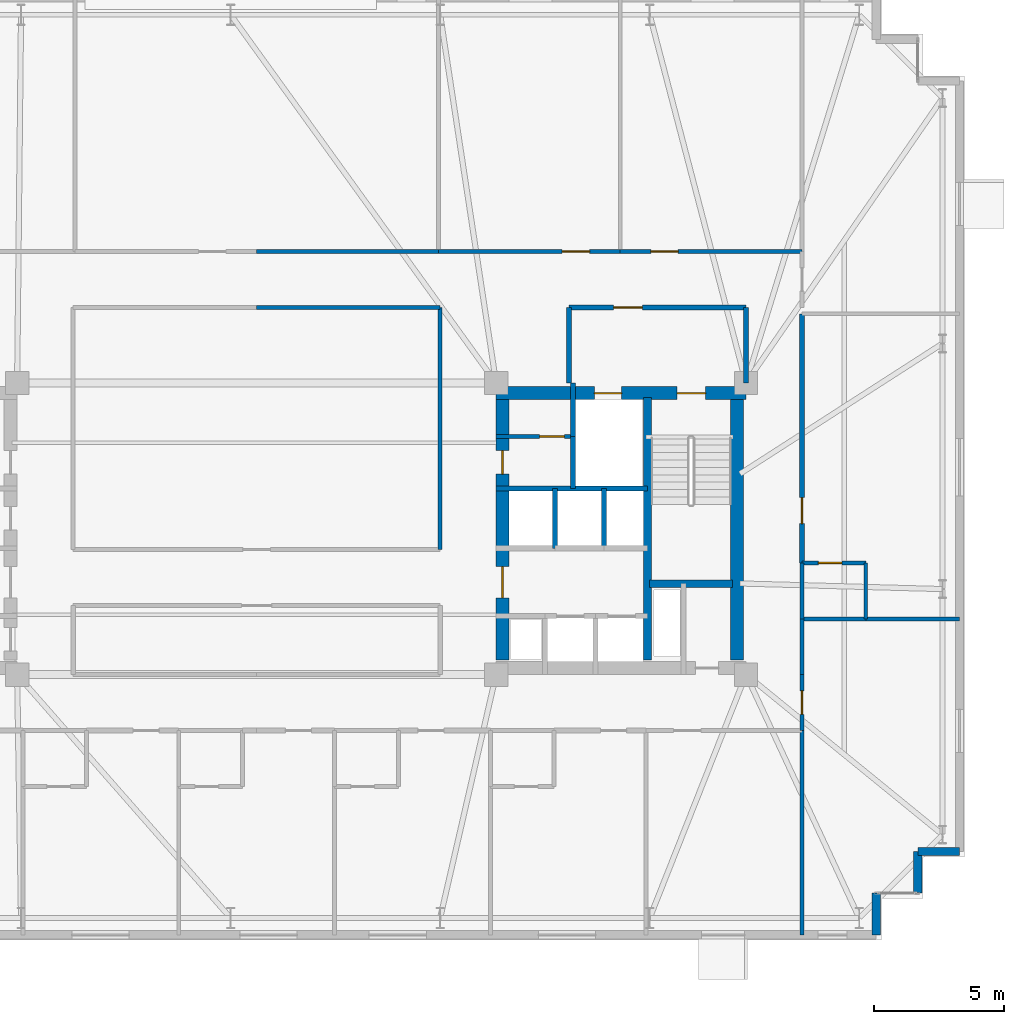
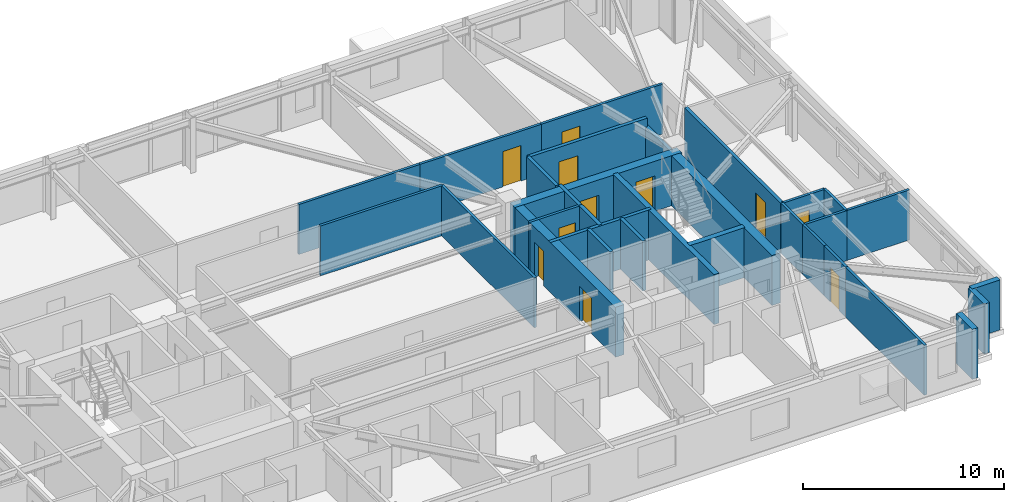
# One storey, part 15 of 18: 31 walls, 11 doors, 11 openings.
"""IFC4 building model written with IfcOpenShell, lengths in metres."""

from ifc_helpers import new_model, si_unit, direction, frame, frame_2d, origin, place, context, subcontext, project, spatial, rectangle, extrude, material, layer, layer_set, type_object, element, fill, save


model = new_model("IFC4")

# Units and contexts
model_context = context("Model", 3, precision=1e-05, world=origin(), true_north=direction((0.0, 1.0)))
body_context = subcontext(model_context, "Body", "Model", "MODEL_VIEW")
ifc_project = project(units=[si_unit("LENGTHUNIT", "METRE"), si_unit("AREAUNIT", "SQUARE_METRE"), si_unit("VOLUMEUNIT", "CUBIC_METRE"), si_unit("PLANEANGLEUNIT", "RADIAN"), si_unit("MASSUNIT", "GRAM", prefix="KILO")], contexts=[model_context])

# Site, building, storey
site_placement = place(None, origin())
site = spatial("IfcSite", under=ifc_project, at=site_placement, CompositionType="ELEMENT")
building_placement = place(site_placement, origin())
building = spatial("IfcBuilding", under=site, at=building_placement, Name="Qobustan Lattice House", CompositionType="ELEMENT")
storey_placement = place(building_placement, frame((0.0, 0.0, 151.10009765625)))
storey = spatial("IfcBuildingStorey", under=building, at=storey_placement, Name="L42", CompositionType="ELEMENT", Elevation=151.10009765625)

# Wall, openings, doors
ifc_material_1 = material(Name="Concrete C50/60", Category="concrete")
ifc_layer_1 = layer(ifc_material_1, 0.5)
ifc_layer_set_1 = layer_set([ifc_layer_1], Name="Concrete C50/60")
wall_type_1 = type_object("IfcWallType", Name="WAL-CORE-500", PredefinedType="SHEAR", material=ifc_layer_set_1)
wall_1_placement = place(storey_placement, frame((9.199951171875, 5.2099609375, 0.0), z_axis=(0.0, 0.0, 1.0), x_axis=(1.0, 0.0, 0.0)))
wall_1 = element("IfcWall", 1, at=wall_1_placement, inside=storey, type_object=wall_type_1, Name="L42 split-core shear wall CE-N", PredefinedType="SHEAR", context=body_context, shape_type="SweptSolid", body=[
    extrude(rectangle(XDim=9.60009765625, YDim=0.5, at=frame_2d((4.800048828125, 0.0))), origin(), (0.0, 0.0, 1.0), 3.039794921875),
])
opening_1_placement = place(wall_1_placement, frame((6.949951171875, 0.0, 0.0)))
opening_1 = element("IfcOpeningElement", 2, at=opening_1_placement, cuts=wall_1, Name="Opening SD-01", PredefinedType="OPENING", context=body_context, shape_type="SweptSolid", body=[
    extrude(rectangle(XDim=1.10009765625, YDim=2.14990234375, at=frame_2d((0.550048828125, 1.074951171875))), frame((0.0, 0.260009765625, 0.0), z_axis=(0.0, -1.0, 0.0), x_axis=(1.0, 0.0, 0.0)), (0.0, 0.0, 1.0), 0.52001953125),
])
opening_2_placement = place(wall_1_placement, frame((3.77490234375, 0.0, 0.0)))
opening_2 = element("IfcOpeningElement", 3, at=opening_2_placement, cuts=wall_1, Name="Opening LD-01", PredefinedType="OPENING", context=body_context, shape_type="SweptSolid", body=[
    extrude(rectangle(XDim=1.050048828125, YDim=2.10009765625, at=frame_2d((0.52490234375, 1.050048828125))), frame((0.0, 0.260009765625, 0.0), z_axis=(0.0, -1.0, 0.0), x_axis=(1.0, 0.0, 0.0)), (0.0, 0.0, 1.0), 0.52001953125),
])
ifc_material_2 = material(Name="Persian walnut timber and steel frame door", Category="steel")
door_type_1 = type_object("IfcDoorType", Name="DOR-LIFT-LD-1050x2100", OperationType="NOTDEFINED", PredefinedType="DOOR", material=ifc_material_2)
door_1_placement = place(opening_2_placement, origin())
door_1 = element("IfcDoor", 4, at=door_1_placement, inside=storey, type_object=door_type_1, Name="L42 firefighting lift FF-E landing door", OperationType="DOUBLE_DOOR_SLIDING", OverallHeight=2.10009765625, OverallWidth=1.050048828125, PredefinedType="DOOR", context=body_context, shape_type="SweptSolid", body=[
    extrude(rectangle(XDim=1.050048828125, YDim=2.10009765625, at=frame_2d((0.52490234375, 1.050048828125))), frame((0.0, 0.02490234375, 0.0), z_axis=(0.0, -1.0, 0.0), x_axis=(1.0, 0.0, 0.0)), (0.0, 0.0, 1.0), 0.050048828125),
])
fill(opening_2, door_1)
ifc_material_3 = material(Name="Persian walnut timber and steel frame door", Category="steel")
door_type_2 = type_object("IfcDoorType", Name="DOR-STAIR-FD-1100x2150", OperationType="NOTDEFINED", PredefinedType="DOOR", material=ifc_material_3)
door_2_placement = place(opening_1_placement, origin())
door_2 = element("IfcDoor", 5, at=door_2_placement, inside=storey, type_object=door_type_2, Name="L42 exit stair ST-E1 fire door", OperationType="SINGLE_SWING_RIGHT", OverallHeight=2.14990234375, OverallWidth=1.10009765625, PredefinedType="DOOR", context=body_context, shape_type="SweptSolid", body=[
    extrude(rectangle(XDim=1.10009765625, YDim=2.14990234375, at=frame_2d((0.550048828125, 1.074951171875))), frame((0.0, 0.02490234375, 0.0), z_axis=(0.0, -1.0, 0.0), x_axis=(1.0, 0.0, 0.0)), (0.0, 0.0, 1.0), 0.050048828125),
])
fill(opening_1, door_2)

wall_2_placement = place(storey_placement, frame((9.449951171875, -5.050048828125, 0.0), z_axis=(0.0, 0.0, 1.0), x_axis=(0.0, 1.0, 0.0)))
wall_2 = element("IfcWall", 6, at=wall_2_placement, inside=storey, type_object=wall_type_1, Name="L42 split-core shear wall CE-W", PredefinedType="SHEAR", context=body_context, shape_type="SweptSolid", body=[
    extrude(rectangle(XDim=10.10009765625, YDim=0.5, at=frame_2d((5.050048828125, 0.0))), origin(), (0.0, 0.0, 1.0), 3.039794921875),
])
opening_3_placement = place(wall_2_placement, frame((7.14990234375, 0.0, 0.0)))
opening_3 = element("IfcOpeningElement", 7, at=opening_3_placement, cuts=wall_2, Name="Opening RD-01", PredefinedType="OPENING", context=body_context, shape_type="SweptSolid", body=[
    extrude(rectangle(XDim=0.89990234375, YDim=2.10009765625, at=frame_2d((0.449951171875, 1.050048828125))), frame((0.0, 0.260009765625, 0.0), z_axis=(0.0, -1.0, 0.0), x_axis=(1.0, 0.0, 0.0)), (0.0, 0.0, 1.0), 0.52001953125),
])
opening_4_placement = place(wall_2_placement, frame((2.39990234375, 0.0, 0.0)))
opening_4 = element("IfcOpeningElement", 8, at=opening_4_placement, cuts=wall_2, Name="Opening FD-01", PredefinedType="OPENING", context=body_context, shape_type="SweptSolid", body=[
    extrude(rectangle(XDim=1.199951171875, YDim=2.14990234375, at=frame_2d((0.60009765625, 1.074951171875))), frame((0.0, 0.260009765625, 0.0), z_axis=(0.0, -1.0, 0.0), x_axis=(1.0, 0.0, 0.0)), (0.0, 0.0, 1.0), 0.52001953125),
])
ifc_material_4 = material(Name="Persian walnut timber and steel frame door", Category="steel")
door_type_3 = type_object("IfcDoorType", Name="DOR-LOBBY-FD-1200x2150", OperationType="NOTDEFINED", PredefinedType="DOOR", material=ifc_material_4)
door_3_placement = place(opening_4_placement, origin())
door_3 = element("IfcDoor", 9, at=door_3_placement, inside=storey, type_object=door_type_3, Name="L42 East passenger lift lobby fire door", OperationType="SINGLE_SWING_RIGHT", OverallHeight=2.14990234375, OverallWidth=1.199951171875, PredefinedType="DOOR", context=body_context, shape_type="SweptSolid", body=[
    extrude(rectangle(XDim=1.199951171875, YDim=2.14990234375, at=frame_2d((0.60009765625, 1.074951171875))), frame((0.0, 0.02490234375, 0.0), z_axis=(0.0, -1.0, 0.0), x_axis=(1.0, 0.0, 0.0)), (0.0, 0.0, 1.0), 0.050048828125),
])
fill(opening_4, door_3)
ifc_material_5 = material(Name="Persian walnut timber and steel frame door", Category="steel")
door_type_4 = type_object("IfcDoorType", Name="DOR-RISER-FD-900x2100", OperationType="NOTDEFINED", PredefinedType="DOOR", material=ifc_material_5)
door_4_placement = place(opening_3_placement, origin())
door_4 = element("IfcDoor", 10, at=door_4_placement, inside=storey, type_object=door_type_4, Name="L42 Housekeeping utility foyer fire door", OperationType="SINGLE_SWING_LEFT", OverallHeight=2.10009765625, OverallWidth=0.89990234375, PredefinedType="DOOR", context=body_context, shape_type="SweptSolid", body=[
    extrude(rectangle(XDim=0.89990234375, YDim=2.10009765625, at=frame_2d((0.449951171875, 1.050048828125))), frame((0.0, 0.02490234375, 0.0), z_axis=(0.0, -1.0, 0.0), x_axis=(1.0, 0.0, 0.0)), (0.0, 0.0, 1.0), 0.050048828125),
])
fill(opening_3, door_4)

# Walls
wall_3_placement = place(storey_placement, frame((18.4599609375, -5.050048828125, 0.0), z_axis=(0.0, 0.0, 1.0), x_axis=(0.0, 1.0, 0.0)))
element("IfcWall", 11, at=wall_3_placement, inside=storey, type_object=wall_type_1, Name="L42 split-core shear wall CE-E", PredefinedType="SHEAR", context=body_context, shape_type="SweptSolid", body=[
    extrude(rectangle(XDim=10.10009765625, YDim=0.5, at=frame_2d((5.050048828125, 0.0))), origin(), (0.0, 0.0, 1.0), 3.039794921875),
])
ifc_material_6 = material(Name="Concrete C50/60", Category="concrete")
ifc_layer_2 = layer(ifc_material_6, 0.280029296875)
ifc_layer_set_2 = layer_set([ifc_layer_2], Name="Concrete C50/60")
wall_type_2 = type_object("IfcWallType", Name="WAL-CORE-SPINE-280", PredefinedType="SHEAR", material=ifc_layer_set_2)
wall_4_placement = place(storey_placement, frame((15.02001953125, -5.050048828125, 0.0), z_axis=(0.0, 0.0, 1.0), x_axis=(0.0, 1.0, 0.0)))
element("IfcWall", 12, at=wall_4_placement, inside=storey, type_object=wall_type_2, Name="L42 split-core shear wall CE-M", PredefinedType="SHEAR", context=body_context, shape_type="SweptSolid", body=[
    extrude(rectangle(XDim=10.10009765625, YDim=0.300048828125, at=frame_2d((5.050048828125, 0.0))), origin(), (0.0, 0.0, 1.0), 3.039794921875),
])
wall_5_placement = place(storey_placement, frame((15.10009765625, -2.110107421875, 0.0), z_axis=(0.0, 0.0, 1.0), x_axis=(1.0, 0.0, 0.0)))
element("IfcWall", 13, at=wall_5_placement, inside=storey, type_object=wall_type_2, Name="L42 split-core shear wall CE-ST", PredefinedType="SHEAR", context=body_context, shape_type="SweptSolid", body=[
    extrude(rectangle(XDim=3.179931640625, YDim=0.300048828125, at=frame_2d((1.58984375, 0.0))), origin(), (0.0, 0.0, 1.0), 3.039794921875),
])
ifc_material_7 = material(Name="Precast concrete C40/50", Category="concrete")
ifc_layer_3 = layer(ifc_material_7, 0.320068359375)
ifc_layer_set_3 = layer_set([ifc_layer_3], Name="Precast concrete C40/50")
wall_type_3 = type_object("IfcWallType", Name="WAL-EXT-STONE-320", PredefinedType="SOLIDWALL", material=ifc_layer_set_3)
for number, where, z_axis, x_axis, name in (
    (14, (27.0, -12.39990234375, 0.0), (0.0, 0.0, 1.0), (-1.0, 0.0, 0.0), "L42 exterior limestone-clad wall 16"),
    (15, (25.39990234375, -12.39990234375, 0.0), (0.0, 0.0, 1.0), (0.0, -1.0, 0.0), "L42 exterior limestone-clad wall 17"),
    (16, (23.800048828125, -14.0, 0.0), (0.0, 0.0, 1.0), (0.0, -1.0, 0.0), "L42 exterior limestone-clad wall 19"),
):
    element("IfcWall", number, at=place(storey_placement, frame(where, z_axis=z_axis, x_axis=x_axis)), inside=storey, type_object=wall_type_3, Name=name, PredefinedType="SOLIDWALL", context=body_context, shape_type="SweptSolid", body=[
        extrude(rectangle(XDim=1.60009765625, YDim=0.320068359375, at=frame_2d((0.800048828125, 0.0))), origin(), (0.0, 0.0, 1.0), 3.039794921875),
    ])

# Wall, opening, door
ifc_material_8 = material(Name="Gypsum fireboard acoustic partition", Category="gypsum")
ifc_layer_4 = layer(ifc_material_8, 0.179931640625)
ifc_layer_set_4 = layer_set([ifc_layer_4], Name="Gypsum fireboard acoustic partition")
wall_type_4 = type_object("IfcWallType", Name="WAL-FIRE-180", PredefinedType="PARTITIONING", material=ifc_layer_set_4)
wall_6_placement = place(storey_placement, frame((20.949951171875, 8.260009765625, 0.0), z_axis=(0.0, 0.0, 1.0), x_axis=(0.0, -1.0, 0.0)))
wall_6 = element("IfcWall", 17, at=wall_6_placement, inside=storey, type_object=wall_type_4, Name="L42 interior partition 62", PredefinedType="PARTITIONING", context=body_context, shape_type="SweptSolid", body=[
    extrude(rectangle(XDim=9.570068359375, YDim=0.179931640625, at=frame_2d((4.78515625, 0.0))), origin(), (0.0, 0.0, 1.0), 3.039794921875),
])
opening_5_placement = place(wall_6_placement, frame((7.063720703125, 0.0, 0.0)))
opening_5 = element("IfcOpeningElement", 18, at=opening_5_placement, cuts=wall_6, Name="Opening FD-02", PredefinedType="OPENING", context=body_context, shape_type="SweptSolid", body=[
    extrude(rectangle(XDim=1.0, YDim=2.14990234375, at=frame_2d((0.5, 1.074951171875))), frame((0.0, 0.099853515625, 0.0), z_axis=(0.0, -1.0, 0.0), x_axis=(1.0, 0.0, 0.0)), (0.0, 0.0, 1.0), 0.199951171875),
])
ifc_material_9 = material(Name="Persian walnut timber and steel frame door", Category="steel")
door_type_5 = type_object("IfcDoorType", Name="DOR-UNIT-FD-1000x2150", OperationType="NOTDEFINED", PredefinedType="DOOR", material=ifc_material_9)
door_5_placement = place(opening_5_placement, origin())
door_5 = element("IfcDoor", 19, at=door_5_placement, inside=storey, type_object=door_type_5, Name="L42 East wing spine gallery to Kitchenette and studio apartment L42-E2 door", OperationType="SINGLE_SWING_LEFT", OverallHeight=2.14990234375, OverallWidth=1.0, PredefinedType="DOOR", context=body_context, shape_type="SweptSolid", body=[
    extrude(rectangle(XDim=1.0, YDim=2.14990234375, at=frame_2d((0.5, 1.074951171875))), frame((0.0, 0.02490234375, 0.0), z_axis=(0.0, -1.0, 0.0), x_axis=(1.0, 0.0, 0.0)), (0.0, 0.0, 1.0), 0.050048828125),
])
fill(opening_5, door_5)

ifc_material_10 = material(Name="Acoustic twin-stud gypsum partition", Category="gypsum")
ifc_layer_5 = layer(ifc_material_10, 0.14990234375)
ifc_layer_set_5 = layer_set([ifc_layer_5], Name="Acoustic twin-stud gypsum partition")
wall_type_5 = type_object("IfcWallType", Name="WAL-PART-150", PredefinedType="PARTITIONING", material=ifc_layer_set_5)
wall_7_placement = place(storey_placement, frame((12.14990234375, 3.550048828125, 0.0), z_axis=(0.0, 0.0, 1.0), x_axis=(-1.0, 0.0, 0.0)))
wall_7 = element("IfcWall", 20, at=wall_7_placement, inside=storey, type_object=wall_type_5, Name="L42 interior partition 21", PredefinedType="PARTITIONING", context=body_context, shape_type="SweptSolid", body=[
    extrude(rectangle(XDim=2.949951171875, YDim=0.14990234375, at=frame_2d((1.47509765625, 0.0))), origin(), (0.0, 0.0, 1.0), 3.039794921875),
])
opening_6_placement = place(wall_7_placement, frame((0.324951171875, 0.0, 0.0)))
opening_6 = element("IfcOpeningElement", 21, at=opening_6_placement, cuts=wall_7, Name="Opening ID-01", PredefinedType="OPENING", context=body_context, shape_type="SweptSolid", body=[
    extrude(rectangle(XDim=0.949951171875, YDim=2.10009765625, at=frame_2d((0.47509765625, 1.050048828125))), frame((0.0, 0.0849609375, 0.0), z_axis=(0.0, -1.0, 0.0), x_axis=(1.0, 0.0, 0.0)), (0.0, 0.0, 1.0), 0.169921875),
])
ifc_material_11 = material(Name="Persian walnut timber and steel frame door", Category="steel")
door_type_6 = type_object("IfcDoorType", Name="DOR-ROOM-950x2100", OperationType="NOTDEFINED", PredefinedType="DOOR", material=ifc_material_11)
door_6_placement = place(opening_6_placement, origin())
door_6 = element("IfcDoor", 22, at=door_6_placement, inside=storey, type_object=door_type_6, Name="L42 Housekeeping utility foyer to Cleaner cupboard door", OperationType="SINGLE_SWING_RIGHT", OverallHeight=2.10009765625, OverallWidth=0.949951171875, PredefinedType="DOOR", context=body_context, shape_type="SweptSolid", body=[
    extrude(rectangle(XDim=0.949951171875, YDim=2.10009765625, at=frame_2d((0.47509765625, 1.050048828125))), frame((0.0, 0.02490234375, 0.0), z_axis=(0.0, -1.0, 0.0), x_axis=(1.0, 0.0, 0.0)), (0.0, 0.0, 1.0), 0.050048828125),
])
fill(opening_6, door_6)

# Wall
wall_8_placement = place(storey_placement, frame((0.0, 10.64990234375, 0.0), z_axis=(0.0, 0.0, 1.0), x_axis=(1.0, 0.0, 0.0)))
element("IfcWall", 23, at=wall_8_placement, inside=storey, type_object=wall_type_5, Name="L42 interior partition 39", PredefinedType="PARTITIONING", context=body_context, shape_type="SweptSolid", body=[
    extrude(rectangle(XDim=6.98291015625, YDim=0.14990234375, at=frame_2d((3.491455078125, 0.0))), origin(), (0.0, 0.0, 1.0), 3.039794921875),
])

# Wall, opening, door
wall_9_placement = place(storey_placement, frame((6.98291015625, 10.64990234375, 0.0), z_axis=(0.0, 0.0, 1.0), x_axis=(1.0, 0.0, 0.0)))
wall_9 = element("IfcWall", 24, at=wall_9_placement, inside=storey, type_object=wall_type_5, Name="L42 interior partition 40", PredefinedType="PARTITIONING", context=body_context, shape_type="SweptSolid", body=[
    extrude(rectangle(XDim=6.983642578125, YDim=0.14990234375, at=frame_2d((3.49169921875, 0.0))), origin(), (0.0, 0.0, 1.0), 3.039794921875),
])
opening_7_placement = place(wall_9_placement, frame((4.7568359375, 0.0, 0.0)))
opening_7 = element("IfcOpeningElement", 25, at=opening_7_placement, cuts=wall_9, Name="Opening ID-02", PredefinedType="OPENING", context=body_context, shape_type="SweptSolid", body=[
    extrude(rectangle(XDim=1.050048828125, YDim=2.14990234375, at=frame_2d((0.52490234375, 1.074951171875))), frame((0.0, 0.0849609375, 0.0), z_axis=(0.0, -1.0, 0.0), x_axis=(1.0, 0.0, 0.0)), (0.0, 0.0, 1.0), 0.169921875),
])
ifc_material_12 = material(Name="Persian walnut timber and steel frame door", Category="steel")
door_type_7 = type_object("IfcDoorType", Name="DOR-STUDY-1050x2150", OperationType="NOTDEFINED", PredefinedType="DOOR", material=ifc_material_12)
door_7_placement = place(opening_7_placement, origin())
door_7 = element("IfcDoor", 26, at=door_7_placement, inside=storey, type_object=door_type_7, Name="L42 North-east floor corridor to Focus study room N3A door", OperationType="SINGLE_SWING_LEFT", OverallHeight=2.14990234375, OverallWidth=1.050048828125, PredefinedType="DOOR", context=body_context, shape_type="SweptSolid", body=[
    extrude(rectangle(XDim=1.050048828125, YDim=2.14990234375, at=frame_2d((0.52490234375, 1.074951171875))), frame((0.0, 0.02490234375, 0.0), z_axis=(0.0, -1.0, 0.0), x_axis=(1.0, 0.0, 0.0)), (0.0, 0.0, 1.0), 0.050048828125),
])
fill(opening_7, door_7)

wall_10_placement = place(storey_placement, frame((13.966552734375, 10.64990234375, 0.0), z_axis=(0.0, 0.0, 1.0), x_axis=(1.0, 0.0, 0.0)))
wall_10 = element("IfcWall", 27, at=wall_10_placement, inside=storey, type_object=wall_type_5, Name="L42 interior partition 41", PredefinedType="PARTITIONING", context=body_context, shape_type="SweptSolid", body=[
    extrude(rectangle(XDim=6.9833984375, YDim=0.14990234375, at=frame_2d((3.49169921875, 0.0))), origin(), (0.0, 0.0, 1.0), 3.039794921875),
])
opening_8_placement = place(wall_10_placement, frame((1.1767578125, 0.0, 0.0)))
opening_8 = element("IfcOpeningElement", 28, at=opening_8_placement, cuts=wall_10, Name="Opening ID-02", PredefinedType="OPENING", context=body_context, shape_type="SweptSolid", body=[
    extrude(rectangle(XDim=1.050048828125, YDim=2.14990234375, at=frame_2d((0.52490234375, 1.074951171875))), frame((0.0, 0.0849609375, 0.0), z_axis=(0.0, -1.0, 0.0), x_axis=(1.0, 0.0, 0.0)), (0.0, 0.0, 1.0), 0.169921875),
])
door_8_placement = place(opening_8_placement, origin())
door_8 = element("IfcDoor", 29, at=door_8_placement, inside=storey, type_object=door_type_7, Name="L42 North-east floor corridor to Focus study room N3B door", OperationType="SINGLE_SWING_RIGHT", OverallHeight=2.14990234375, OverallWidth=1.050048828125, PredefinedType="DOOR", context=body_context, shape_type="SweptSolid", body=[
    extrude(rectangle(XDim=1.050048828125, YDim=2.14990234375, at=frame_2d((0.52490234375, 1.074951171875))), frame((0.0, 0.02490234375, 0.0), z_axis=(0.0, -1.0, 0.0), x_axis=(1.0, 0.0, 0.0)), (0.0, 0.0, 1.0), 0.050048828125),
])
fill(opening_8, door_8)

# Wall
wall_11_placement = place(storey_placement, frame((7.050048828125, 8.5, 0.0), z_axis=(0.0, 0.0, 1.0), x_axis=(-1.0, 0.0, 0.0)))
element("IfcWall", 30, at=wall_11_placement, inside=storey, type_object=wall_type_5, Name="L42 interior partition 42", PredefinedType="PARTITIONING", context=body_context, shape_type="SweptSolid", body=[
    extrude(rectangle(XDim=7.050048828125, YDim=0.14990234375, at=frame_2d((3.52490234375, 0.0))), origin(), (0.0, 0.0, 1.0), 3.039794921875),
])

# Wall, opening, door
wall_12_placement = place(storey_placement, frame((20.949951171875, -5.60009765625, 0.0), z_axis=(0.0, 0.0, 1.0), x_axis=(0.0, -1.0, 0.0)))
wall_12 = element("IfcWall", 31, at=wall_12_placement, inside=storey, type_object=wall_type_5, Name="L42 interior partition 52", PredefinedType="PARTITIONING", context=body_context, shape_type="SweptSolid", body=[
    extrude(rectangle(XDim=2.14990234375, YDim=0.14990234375, at=frame_2d((1.074951171875, 0.0))), origin(), (0.0, 0.0, 1.0), 3.039794921875),
])
opening_9_placement = place(wall_12_placement, frame((0.625, 0.0, 0.0)))
opening_9 = element("IfcOpeningElement", 32, at=opening_9_placement, cuts=wall_12, Name="Opening WD-01", PredefinedType="OPENING", context=body_context, shape_type="SweptSolid", body=[
    extrude(rectangle(XDim=0.89990234375, YDim=2.10009765625, at=frame_2d((0.449951171875, 1.050048828125))), frame((0.0, 0.0849609375, 0.0), z_axis=(0.0, -1.0, 0.0), x_axis=(1.0, 0.0, 0.0)), (0.0, 0.0, 1.0), 0.169921875),
])
ifc_material_13 = material(Name="Persian walnut timber and steel frame door", Category="steel")
door_type_8 = type_object("IfcDoorType", Name="DOR-WET-900x2100", OperationType="NOTDEFINED", PredefinedType="DOOR", material=ifc_material_13)
door_9_placement = place(opening_9_placement, origin())
door_9 = element("IfcDoor", 33, at=door_9_placement, inside=storey, type_object=door_type_8, Name="L42 South-east floor corridor to Focus study room E1 door", OperationType="SINGLE_SWING_LEFT", OverallHeight=2.10009765625, OverallWidth=0.89990234375, PredefinedType="DOOR", context=body_context, shape_type="SweptSolid", body=[
    extrude(rectangle(XDim=0.89990234375, YDim=2.10009765625, at=frame_2d((0.449951171875, 1.050048828125))), frame((0.0, 0.02490234375, 0.0), z_axis=(0.0, -1.0, 0.0), x_axis=(1.0, 0.0, 0.0)), (0.0, 0.0, 1.0), 0.050048828125),
])
fill(opening_9, door_9)

# Walls
wall_13_placement = place(storey_placement, frame((20.949951171875, -3.4599609375, 0.0), z_axis=(0.0, 0.0, 1.0), x_axis=(0.0, -1.0, 0.0)))
element("IfcWall", 34, at=wall_13_placement, inside=storey, type_object=wall_type_5, Name="L42 interior partition 61", PredefinedType="PARTITIONING", context=body_context, shape_type="SweptSolid", body=[
    extrude(rectangle(XDim=2.14013671875, YDim=0.14990234375, at=frame_2d((1.070068359375, 0.0))), origin(), (0.0, 0.0, 1.0), 3.039794921875),
])
wall_14_placement = place(storey_placement, frame((7.050048828125, -0.800048828125, 0.0), z_axis=(0.0, 0.0, 1.0), x_axis=(0.0, 1.0, 0.0)))
element("IfcWall", 35, at=wall_14_placement, inside=storey, type_object=wall_type_5, Name="L42 interior partition 68", PredefinedType="PARTITIONING", context=body_context, shape_type="SweptSolid", body=[
    extrude(rectangle(XDim=9.300048828125, YDim=0.14990234375, at=frame_2d((4.64990234375, 0.0))), origin(), (0.0, 0.0, 1.0), 3.039794921875),
])
wall_15_placement = place(storey_placement, frame((23.39990234375, -3.4599609375, 0.0), z_axis=(0.0, 0.0, 1.0), x_axis=(1.0, 0.0, 0.0)))
element("IfcWall", 36, at=wall_15_placement, inside=storey, type_object=wall_type_5, Name="L42 interior partition 87", PredefinedType="PARTITIONING", context=body_context, shape_type="SweptSolid", body=[
    extrude(rectangle(XDim=3.60009765625, YDim=0.14990234375, at=frame_2d((1.800048828125, 0.0))), origin(), (0.0, 0.0, 1.0), 3.039794921875),
])
wall_16_placement = place(storey_placement, frame((20.949951171875, -15.60009765625, 0.0), z_axis=(0.0, 0.0, 1.0), x_axis=(0.0, 1.0, 0.0)))
element("IfcWall", 37, at=wall_16_placement, inside=storey, type_object=wall_type_5, Name="L42 interior partition 89", PredefinedType="PARTITIONING", context=body_context, shape_type="SweptSolid", body=[
    extrude(rectangle(XDim=7.85009765625, YDim=0.14990234375, at=frame_2d((3.925048828125, 0.0))), origin(), (0.0, 0.0, 1.0), 3.039794921875),
])

# Wall, opening, door
ifc_material_14 = material(Name="Two-hour gypsum fireboard acoustic partition", Category="gypsum")
ifc_layer_6 = layer(ifc_material_14, 0.199951171875)
ifc_layer_set_6 = layer_set([ifc_layer_6], Name="Two-hour gypsum fireboard acoustic partition")
wall_type_6 = type_object("IfcWallType", Name="WAL-PROT-200", PredefinedType="PARTITIONING", material=ifc_layer_set_6)
wall_17_placement = place(storey_placement, frame((18.800048828125, 8.5, 0.0), z_axis=(0.0, 0.0, 1.0), x_axis=(-1.0, 0.0, 0.0)))
wall_17 = element("IfcWall", 38, at=wall_17_placement, inside=storey, type_object=wall_type_6, Name="L42 interior partition 18", PredefinedType="PARTITIONING", context=body_context, shape_type="SweptSolid", body=[
    extrude(rectangle(XDim=6.800048828125, YDim=0.199951171875, at=frame_2d((3.39990234375, 0.0))), origin(), (0.0, 0.0, 1.0), 3.039794921875),
])
opening_10_placement = place(wall_17_placement, frame((3.985107421875, 0.0, 0.0)))
opening_10 = element("IfcOpeningElement", 39, at=opening_10_placement, cuts=wall_17, Name="Opening SD-01", PredefinedType="OPENING", context=body_context, shape_type="SweptSolid", body=[
    extrude(rectangle(XDim=1.10009765625, YDim=2.14990234375, at=frame_2d((0.550048828125, 1.074951171875))), frame((0.0, 0.10986328125, 0.0), z_axis=(0.0, -1.0, 0.0), x_axis=(1.0, 0.0, 0.0)), (0.0, 0.0, 1.0), 0.219970703125),
])
door_10_placement = place(opening_10_placement, origin())
door_10 = element("IfcDoor", 40, at=door_10_placement, inside=storey, type_object=door_type_2, Name="L42 East firefighting lift lobby to North-east floor corridor door", OperationType="SINGLE_SWING_LEFT", OverallHeight=2.14990234375, OverallWidth=1.10009765625, PredefinedType="DOOR", context=body_context, shape_type="SweptSolid", body=[
    extrude(rectangle(XDim=1.10009765625, YDim=2.14990234375, at=frame_2d((0.550048828125, 1.074951171875))), frame((0.0, 0.02490234375, 0.0), z_axis=(0.0, -1.0, 0.0), x_axis=(1.0, 0.0, 0.0)), (0.0, 0.0, 1.0), 0.050048828125),
])
fill(opening_10, door_10)

# Walls
wall_18_placement = place(storey_placement, frame((18.800048828125, 5.60009765625, 0.0), z_axis=(0.0, 0.0, 1.0), x_axis=(0.0, 1.0, 0.0)))
element("IfcWall", 41, at=wall_18_placement, inside=storey, type_object=wall_type_6, Name="L42 interior partition 19", PredefinedType="PARTITIONING", context=body_context, shape_type="SweptSolid", body=[
    extrude(rectangle(XDim=2.89990234375, YDim=0.199951171875, at=frame_2d((1.449951171875, 0.0))), origin(), (0.0, 0.0, 1.0), 2.52490234375),
])
wall_19_placement = place(storey_placement, frame((12.0, 8.5, 0.0), z_axis=(0.0, 0.0, 1.0), x_axis=(0.0, -1.0, 0.0)))
element("IfcWall", 42, at=wall_19_placement, inside=storey, type_object=wall_type_6, Name="L42 interior partition 20", PredefinedType="PARTITIONING", context=body_context, shape_type="SweptSolid", body=[
    extrude(rectangle(XDim=2.89990234375, YDim=0.199951171875, at=frame_2d((1.449951171875, 0.0))), origin(), (0.0, 0.0, 1.0), 3.039794921875),
])
ifc_material_15 = material(Name="Concrete C40/50", Category="concrete")
ifc_layer_7 = layer(ifc_material_15, 0.199951171875)
ifc_layer_set_7 = layer_set([ifc_layer_7], Name="Concrete C40/50")
wall_type_7 = type_object("IfcWallType", Name="WAL-SHAFT-200", PredefinedType="PARTITIONING", material=ifc_layer_set_7)
wall_20_placement = place(storey_placement, frame((12.14990234375, 3.550048828125, 0.0), z_axis=(0.0, 0.0, 1.0), x_axis=(0.0, -1.0, 0.0)))
element("IfcWall", 43, at=wall_20_placement, inside=storey, type_object=wall_type_7, Name="L42 interior partition 16", PredefinedType="PARTITIONING", context=body_context, shape_type="SweptSolid", body=[
    extrude(rectangle(XDim=2.0, YDim=0.199951171875, at=frame_2d((1.0, 0.0))), origin(), (0.0, 0.0, 1.0), 3.039794921875),
])
wall_21_placement = place(storey_placement, frame((12.14990234375, 5.60009765625, 0.0), z_axis=(0.0, 0.0, 1.0), x_axis=(0.0, -1.0, 0.0)))
element("IfcWall", 44, at=wall_21_placement, inside=storey, type_object=wall_type_7, Name="L42 interior partition 17", PredefinedType="PARTITIONING", context=body_context, shape_type="SweptSolid", body=[
    extrude(rectangle(XDim=2.050048828125, YDim=0.199951171875, at=frame_2d((1.02490234375, 0.0))), origin(), (0.0, 0.0, 1.0), 3.039794921875),
])
for number, where, z_axis, x_axis, name in (
    (45, (11.4599609375, -0.75, 0.0), (0.0, 0.0, 1.0), (0.0, 1.0, 0.0), "L42 interior partition 32"),
    (46, (13.340087890625, -0.75, 0.0), (0.0, 0.0, 1.0), (0.0, 1.0, 0.0), "L42 interior partition 33"),
):
    element("IfcWall", number, at=place(storey_placement, frame(where, z_axis=z_axis, x_axis=x_axis)), inside=storey, type_object=wall_type_7, Name=name, PredefinedType="PARTITIONING", context=body_context, shape_type="SweptSolid", body=[
        extrude(rectangle(XDim=2.300048828125, YDim=0.199951171875, at=frame_2d((1.14990234375, 0.0))), origin(), (0.0, 0.0, 1.0), 3.039794921875),
    ])
wall_22_placement = place(storey_placement, frame((9.199951171875, 1.550048828125, 0.0), z_axis=(0.0, 0.0, 1.0), x_axis=(1.0, 0.0, 0.0)))
element("IfcWall", 47, at=wall_22_placement, inside=storey, type_object=wall_type_7, Name="L42 interior partition 119", PredefinedType="PARTITIONING", context=body_context, shape_type="SweptSolid", body=[
    extrude(rectangle(XDim=5.820068359375, YDim=0.199951171875, at=frame_2d((2.91015625, 0.0))), origin(), (0.0, 0.0, 1.0), 3.039794921875),
])
ifc_material_16 = material(Name="Moisture-resistant acoustic plumbing wall", Category="gypsum")
ifc_layer_8 = layer(ifc_material_16, 0.14990234375)
ifc_layer_set_8 = layer_set([ifc_layer_8], Name="Moisture-resistant acoustic plumbing wall")
wall_type_8 = type_object("IfcWallType", Name="WAL-WET-150", PredefinedType="PLUMBINGWALL", material=ifc_layer_set_8)
wall_23_placement = place(storey_placement, frame((20.949951171875, -1.31005859375, 0.0), z_axis=(0.0, 0.0, 1.0), x_axis=(0.0, -1.0, 0.0)))
element("IfcWall", 48, at=wall_23_placement, inside=storey, type_object=wall_type_8, Name="L42 interior partition 63", PredefinedType="PLUMBINGWALL", context=body_context, shape_type="SweptSolid", body=[
    extrude(rectangle(XDim=2.14990234375, YDim=0.14990234375, at=frame_2d((1.074951171875, 0.0))), origin(), (0.0, 0.0, 1.0), 3.039794921875),
])
wall_24_placement = place(storey_placement, frame((20.949951171875, -3.4599609375, 0.0), z_axis=(0.0, 0.0, 1.0), x_axis=(1.0, 0.0, 0.0)))
element("IfcWall", 49, at=wall_24_placement, inside=storey, type_object=wall_type_8, Name="L42 interior partition 88", PredefinedType="PLUMBINGWALL", context=body_context, shape_type="SweptSolid", body=[
    extrude(rectangle(XDim=2.449951171875, YDim=0.14990234375, at=frame_2d((1.22509765625, 0.0))), origin(), (0.0, 0.0, 1.0), 3.039794921875),
])

# Wall, opening, door
wall_25_placement = place(storey_placement, frame((23.39990234375, -1.31005859375, 0.0), z_axis=(0.0, 0.0, 1.0), x_axis=(-1.0, 0.0, 0.0)))
wall_25 = element("IfcWall", 50, at=wall_25_placement, inside=storey, type_object=wall_type_8, Name="L42 interior partition 90", PredefinedType="PLUMBINGWALL", context=body_context, shape_type="SweptSolid", body=[
    extrude(rectangle(XDim=2.449951171875, YDim=0.14990234375, at=frame_2d((1.22509765625, 0.0))), origin(), (0.0, 0.0, 1.0), 3.039794921875),
])
opening_11_placement = place(wall_25_placement, frame((0.921142578125, 0.0, 0.0)))
opening_11 = element("IfcOpeningElement", 51, at=opening_11_placement, cuts=wall_25, Name="Opening WD-01", PredefinedType="OPENING", context=body_context, shape_type="SweptSolid", body=[
    extrude(rectangle(XDim=0.89990234375, YDim=2.10009765625, at=frame_2d((0.449951171875, 1.050048828125))), frame((0.0, 0.0849609375, 0.0), z_axis=(0.0, -1.0, 0.0), x_axis=(1.0, 0.0, 0.0)), (0.0, 0.0, 1.0), 0.169921875),
])
door_11_placement = place(opening_11_placement, origin())
door_11 = element("IfcDoor", 52, at=door_11_placement, inside=storey, type_object=door_type_8, Name="L42 Kitchenette and studio apartment L42-E2 to En-suite bathroom L42-E2 door", OperationType="SINGLE_SWING_RIGHT", OverallHeight=2.10009765625, OverallWidth=0.89990234375, PredefinedType="DOOR", context=body_context, shape_type="SweptSolid", body=[
    extrude(rectangle(XDim=0.89990234375, YDim=2.10009765625, at=frame_2d((0.449951171875, 1.050048828125))), frame((0.0, 0.02490234375, 0.0), z_axis=(0.0, -1.0, 0.0), x_axis=(1.0, 0.0, 0.0)), (0.0, 0.0, 1.0), 0.050048828125),
])
fill(opening_11, door_11)

# Wall
wall_26_placement = place(storey_placement, frame((23.39990234375, -3.4599609375, 0.0), z_axis=(0.0, 0.0, 1.0), x_axis=(0.0, 1.0, 0.0)))
element("IfcWall", 53, at=wall_26_placement, inside=storey, type_object=wall_type_8, Name="L42 interior partition 91", PredefinedType="PLUMBINGWALL", context=body_context, shape_type="SweptSolid", body=[
    extrude(rectangle(XDim=2.14990234375, YDim=0.14990234375, at=frame_2d((1.074951171875, 0.0))), origin(), (0.0, 0.0, 1.0), 3.039794921875),
])

save(model, "model.ifc")
